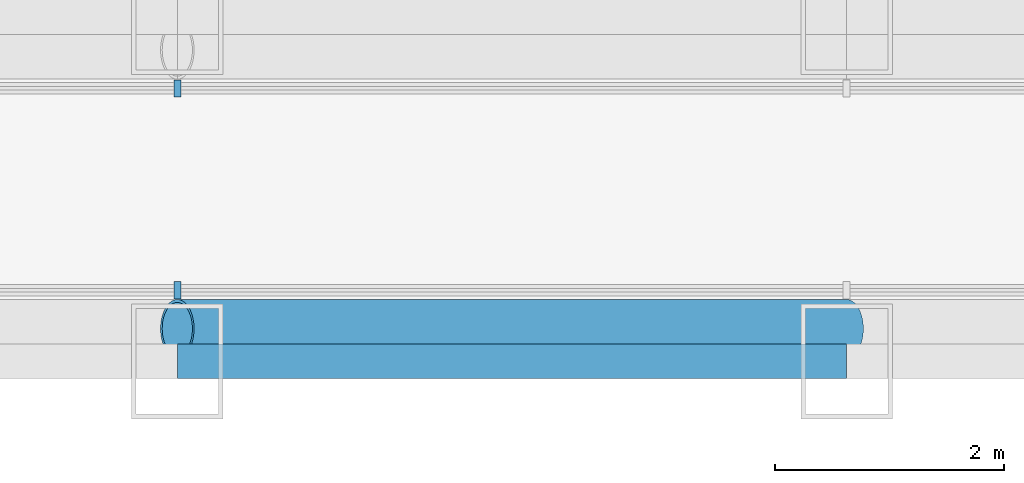
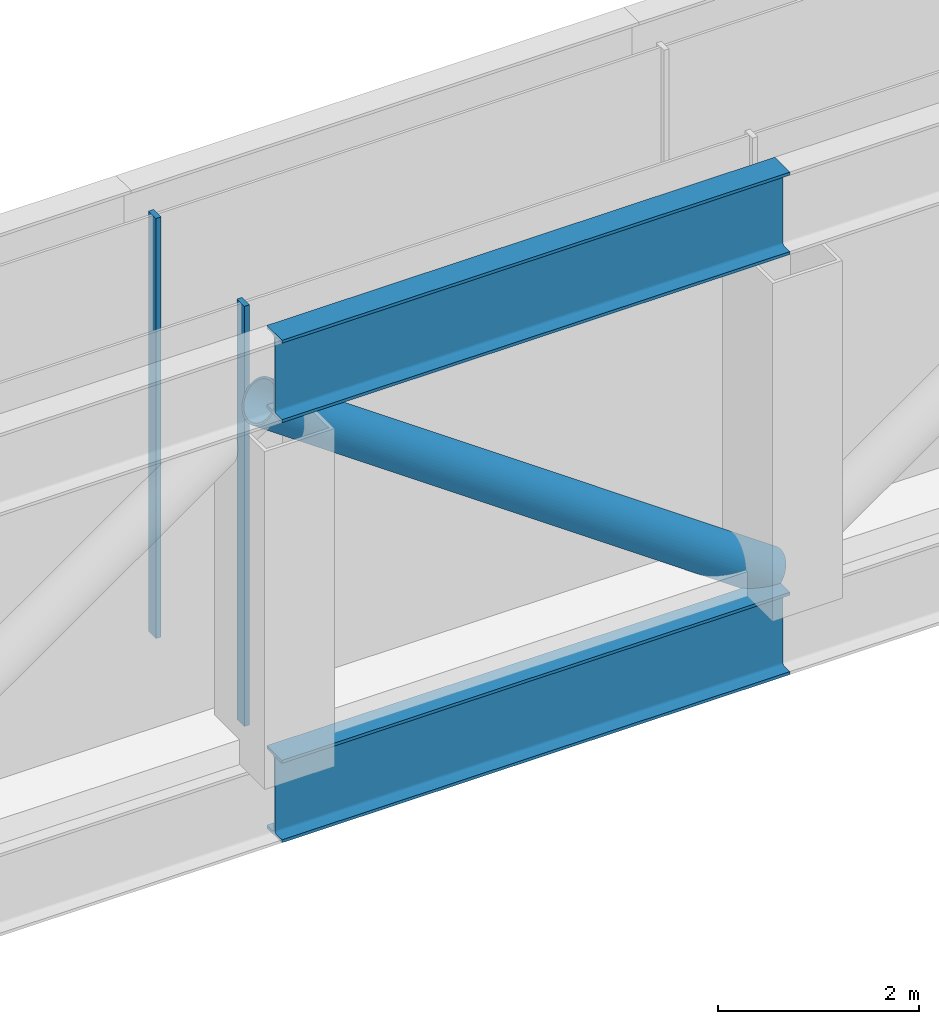
# One storey, part 6 of 23: 5 members, 2 elements without a shape of their own.
"""IFC4 building model written with IfcOpenShell, lengths in metres."""

from ifc_helpers import new_model, si_unit, direction, frame, origin, origin_2d, place, context, subcontext, project, spatial, rectangle, hollow_circle, i_section, extrude, material, layer, layer_set, material_profile, profile_set, type_object, element, aggregate, save


model = new_model("IFC4")

# Units and contexts
model_context = context("Model", 3, precision=1e-05, world=origin(), true_north=direction((0.0, 1.0)))
body_context = subcontext(model_context, "Body", "Model", "MODEL_VIEW")
ifc_project = project(units=[si_unit("LENGTHUNIT", "METRE"), si_unit("AREAUNIT", "SQUARE_METRE"), si_unit("VOLUMEUNIT", "CUBIC_METRE"), si_unit("PLANEANGLEUNIT", "RADIAN"), si_unit("MASSUNIT", "GRAM", prefix="KILO")], contexts=[model_context])

# Site, building, storey
site_placement = place(None, origin())
site = spatial("IfcSite", under=ifc_project, at=site_placement, CompositionType="ELEMENT")
building_placement = place(site_placement, origin())
building = spatial("IfcBuilding", under=site, at=building_placement, Name="Plateau Cross Towers", CompositionType="ELEMENT")
storey_placement = place(building_placement, frame((0.0, 0.0, 123.800048828125)))
storey = spatial("IfcBuildingStorey", under=building, at=storey_placement, Name="L32", CompositionType="ELEMENT", Elevation=123.800048828125)

# Curtain wall, member
ifc_material_1 = material(Name="Dark low-iron laminated glass", Category="glass")
ifc_layer = layer(ifc_material_1, 0.25)
ifc_layer_set = layer_set([ifc_layer], Name="Dark low-iron laminated glass")
curtain_wall_type = type_object("IfcCurtainWallType", Name="Curtain wall bridge CW-E", PredefinedType="NOTDEFINED", material=ifc_layer_set)
curtain_wall_1_placement = place(storey_placement, origin())
curtain_wall_1 = element("IfcCurtainWall", 1, at=curtain_wall_1_placement, inside=storey, type_object=curtain_wall_type, Name="ENV/BR/L32/BR-S-south-2", PredefinedType="NOTDEFINED")
ifc_material_2 = material(Name="Black anodised aluminium", Category="aluminium")
ifc_material_profile_1 = material_profile(ifc_material_2, rectangle(XDim=0.06005859375, YDim=0.14990234375, at=origin_2d()), Name="MULLION 60x150")
ifc_profile_set_1 = profile_set([ifc_material_profile_1], Name="Black anodised aluminium")
member_type_1 = type_object("IfcMemberType", Name="Mullion 60x150 bridge", PredefinedType="MULLION", material=ifc_profile_set_1)
member_1_placement = place(storey_placement, frame((60.333251953125, 8.1201171875, -0.300048828125), z_axis=(0.0, 0.0, 1.0), x_axis=(1.0, 0.0, 0.0)))
member_1 = element("IfcMember", 2, at=member_1_placement, type_object=member_type_1, Name="CW-E mullion 1", PredefinedType="MULLION", context=body_context, shape_type="SweptSolid", body=[
    extrude(rectangle(XDim=0.06005859375, YDim=0.14990234375, at=origin_2d()), origin(), (0.0, 0.0, 1.0), 5.10009765625),
])
aggregate(curtain_wall_1, [member_1])

curtain_wall_2_placement = place(storey_placement, origin())
curtain_wall_2 = element("IfcCurtainWall", 3, at=curtain_wall_2_placement, inside=storey, type_object=curtain_wall_type, Name="ENV/BR/L32/BR-S-north-2", PredefinedType="NOTDEFINED")
member_2_placement = place(storey_placement, frame((60.333251953125, 9.8798828125, -0.300048828125), z_axis=(0.0, 0.0, 1.0), x_axis=(1.0, 0.0, 0.0)))
member_2 = element("IfcMember", 4, at=member_2_placement, type_object=member_type_1, Name="CW-E mullion 1", PredefinedType="MULLION", context=body_context, shape_type="SweptSolid", body=[
    extrude(rectangle(XDim=0.06005859375, YDim=0.14990234375, at=origin_2d()), origin(), (0.0, 0.0, 1.0), 5.10009765625),
])
aggregate(curtain_wall_2, [member_2])

# Members
ifc_material_3 = material(Name="Steel S355", Category="steel")
ifc_material_profile_2 = material_profile(ifc_material_3, i_section(OverallWidth=0.300048828125, OverallDepth=1.0, WebThickness=0.01904296875, FlangeThickness=0.035888671875, FilletRadius=0.030029296875, at=origin_2d()), Name="HE 1000 B")
ifc_profile_set_2 = profile_set([ifc_material_profile_2], Name="Steel S355")
member_type_2 = type_object("IfcMemberType", Name="Sky garden bridge truss chord HE 1000 B", PredefinedType="CHORD", material=ifc_profile_set_2)
for number, where, z_axis, x_axis, name in (
    (5, (60.333251953125, 7.5, -0.800048828125), (1.0, 0.0, 0.0), (0.0, 1.0, 0.0), "BR-S-T1-B2"),
    (6, (60.333251953125, 7.5, 4.300048828125), (1.0, 0.0, 0.0), (0.0, 1.0, 0.0), "BR-S-T1-T2"),
):
    element("IfcMember", number, at=place(storey_placement, frame(where, z_axis=z_axis, x_axis=x_axis)), inside=storey, type_object=member_type_2, Name=name, PredefinedType="CHORD", context=body_context, shape_type="SweptSolid", body=[
        extrude(i_section(OverallWidth=0.300048828125, OverallDepth=1.0, WebThickness=0.01904296875, FlangeThickness=0.035888671875, FilletRadius=0.030029296875, at=origin_2d()), origin(), (0.0, 0.0, 1.0), 5.83349609375),
    ])
ifc_material_profile_3 = material_profile(ifc_material_3, hollow_circle(Radius=0.25390625, WallThickness=0.02490234375, at=origin_2d()), Name="CHS 508x25")
ifc_profile_set_3 = profile_set([ifc_material_profile_3], Name="Steel S355")
member_type_3 = type_object("IfcMemberType", Name="Sky garden bridge truss diagonal CHS 508x25", PredefinedType="BRACE", material=ifc_profile_set_3)
member_3_placement = place(storey_placement, frame((60.333251953125, 7.785888671875, 3.800048828125), z_axis=(0.818133358875, 0.0, -0.575028527201), x_axis=(0.0, 1.0, 0.0)))
element("IfcMember", 7, at=member_3_placement, inside=storey, type_object=member_type_3, Name="BR-S-T1-D2", PredefinedType="BRACE", context=body_context, shape_type="SweptSolid", body=[
    extrude(hollow_circle(Radius=0.25390625, WallThickness=0.02490234375, at=origin_2d()), origin(), (0.0, 0.0, 1.0), 7.13037109375),
])

save(model, "model.ifc")
